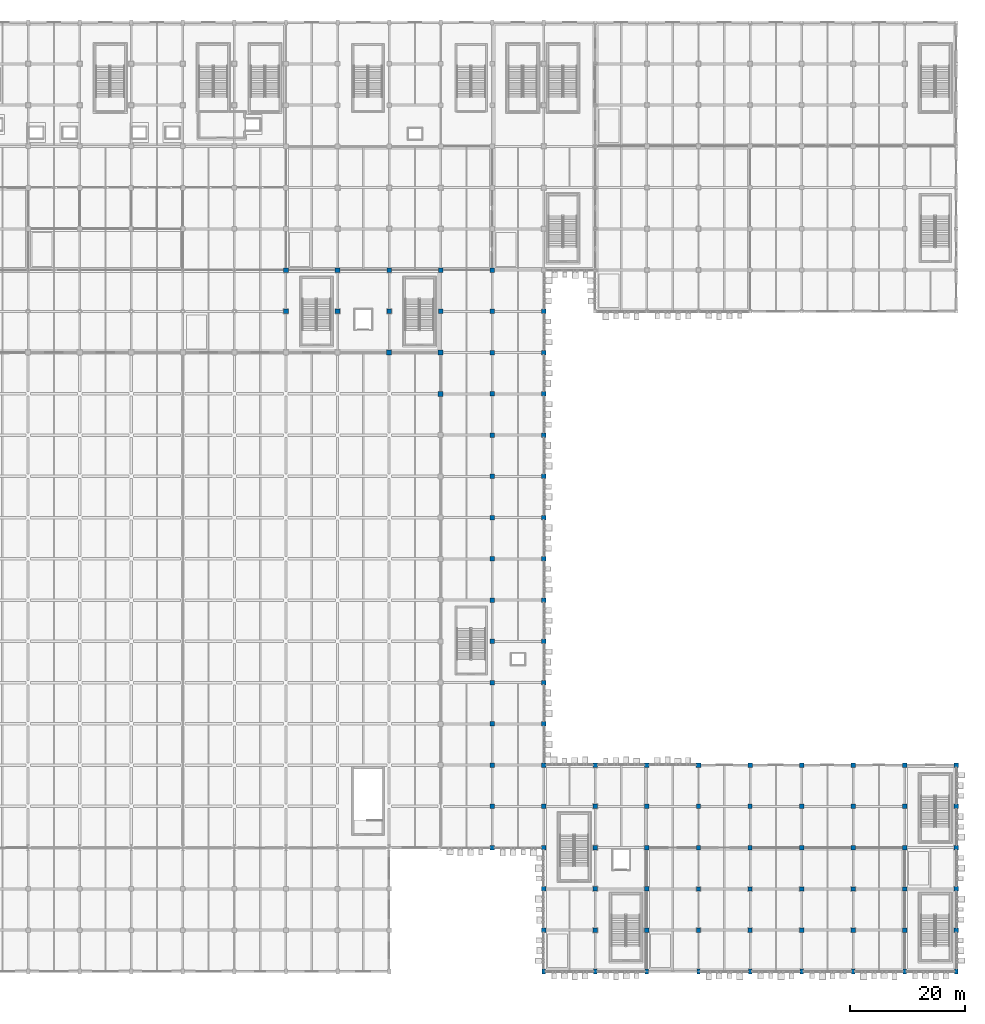
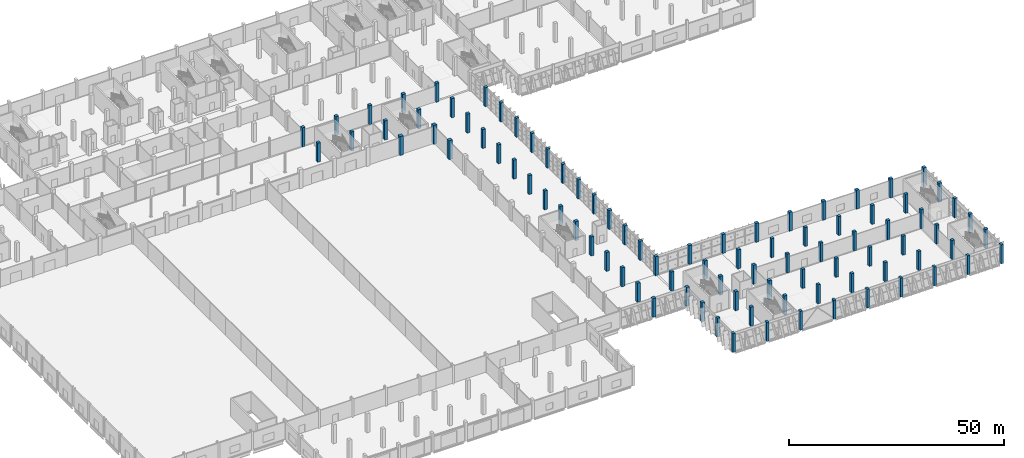
# One storey, part 8 of 137: 91 columns.
"""IFC4 building model written with IfcOpenShell, lengths in metres."""

from ifc_helpers import new_model, si_unit, direction, frame, origin, origin_2d, place, context, subcontext, project, spatial, rectangle, extrude, material, material_profile, profile_set, type_object, element, save


model = new_model("IFC4")

# Units and contexts
model_context = context("Model", 3, precision=1e-05, world=origin(), true_north=direction((0.0, 1.0)))
body_context = subcontext(model_context, "Body", "Model", "MODEL_VIEW")
ifc_project = project(units=[si_unit("LENGTHUNIT", "METRE"), si_unit("AREAUNIT", "SQUARE_METRE"), si_unit("VOLUMEUNIT", "CUBIC_METRE"), si_unit("PLANEANGLEUNIT", "RADIAN"), si_unit("MASSUNIT", "GRAM", prefix="KILO")], contexts=[model_context])

# Site, building, storey
site_placement = place(None, origin())
site = spatial("IfcSite", under=ifc_project, at=site_placement, CompositionType="ELEMENT")
building_placement = place(site_placement, origin())
building = spatial("IfcBuilding", under=site, at=building_placement, Name="Celestram Park Convention Centre", CompositionType="ELEMENT")
storey_placement = place(building_placement, origin())
storey = spatial("IfcBuildingStorey", under=building, at=storey_placement, Name="L00", CompositionType="ELEMENT", Elevation=0.0)

# Columns
ifc_material = material(Name="Concrete C40/50", Category="concrete")
ifc_material_profile_1 = material_profile(ifc_material, rectangle(XDim=0.75, YDim=0.75, at=origin_2d()), Name="RC750X750")
ifc_profile_set_1 = profile_set([ifc_material_profile_1], Name="Concrete C40/50")
column_type_1 = type_object("IfcColumnType", Name="STR-COL-RC750", PredefinedType="COLUMN", material=ifc_profile_set_1)
for number, where, z_axis, x_axis, name in (
    (1, (171.0, 7.199951171875, 0.0), (0.0, 0.0, 1.0), (1.0, 0.0, 0.0), "Column CN-L00-265"),
    (2, (171.0, 14.39990234375, 0.0), (0.0, 0.0, 1.0), (1.0, 0.0, 0.0), "Column CN-L00-266"),
    (3, (171.0, 21.60009765625, 0.0), (0.0, 0.0, 1.0), (1.0, 0.0, 0.0), "Column CN-L00-267"),
    (4, (171.0, 28.800048828125, 0.0), (0.0, 0.0, 1.0), (1.0, 0.0, 0.0), "Column CN-L00-268"),
    (5, (180.0, 7.199951171875, 0.0), (0.0, 0.0, 1.0), (1.0, 0.0, 0.0), "Column CN-L00-279"),
    (6, (180.0, 14.39990234375, 0.0), (0.0, 0.0, 1.0), (1.0, 0.0, 0.0), "Column CN-L00-280"),
    (7, (180.0, 21.60009765625, 0.0), (0.0, 0.0, 1.0), (1.0, 0.0, 0.0), "Column CN-L00-281"),
    (8, (180.0, 28.800048828125, 0.0), (0.0, 0.0, 1.0), (1.0, 0.0, 0.0), "Column CN-L00-282"),
    (9, (189.0, 7.199951171875, 0.0), (0.0, 0.0, 1.0), (1.0, 0.0, 0.0), "Column CN-L00-293"),
    (10, (189.0, 14.39990234375, 0.0), (0.0, 0.0, 1.0), (1.0, 0.0, 0.0), "Column CN-L00-294"),
    (11, (189.0, 21.60009765625, 0.0), (0.0, 0.0, 1.0), (1.0, 0.0, 0.0), "Column CN-L00-295"),
    (12, (189.0, 28.800048828125, 0.0), (0.0, 0.0, 1.0), (1.0, 0.0, 0.0), "Column CN-L00-296"),
    (13, (198.0, 7.199951171875, 0.0), (0.0, 0.0, 1.0), (1.0, 0.0, 0.0), "Column CN-L00-307"),
    (14, (198.0, 14.39990234375, 0.0), (0.0, 0.0, 1.0), (1.0, 0.0, 0.0), "Column CN-L00-308"),
    (15, (198.0, 21.60009765625, 0.0), (0.0, 0.0, 1.0), (1.0, 0.0, 0.0), "Column CN-L00-309"),
    (16, (198.0, 28.800048828125, 0.0), (0.0, 0.0, 1.0), (1.0, 0.0, 0.0), "Column CN-L00-310"),
    (17, (207.0, 7.199951171875, 0.0), (0.0, 0.0, 1.0), (1.0, 0.0, 0.0), "Column CN-L00-321"),
    (18, (207.0, 14.39990234375, 0.0), (0.0, 0.0, 1.0), (1.0, 0.0, 0.0), "Column CN-L00-322"),
    (19, (207.0, 21.60009765625, 0.0), (0.0, 0.0, 1.0), (1.0, 0.0, 0.0), "Column CN-L00-323"),
    (20, (207.0, 28.800048828125, 0.0), (0.0, 0.0, 1.0), (1.0, 0.0, 0.0), "Column CN-L00-324"),
):
    element("IfcColumn", number, at=place(storey_placement, frame(where, z_axis=z_axis, x_axis=x_axis)), inside=storey, type_object=column_type_1, Name=name, PredefinedType="COLUMN", context=body_context, shape_type="SweptSolid", body=[
        extrude(rectangle(XDim=0.75, YDim=0.75, at=origin_2d()), origin(), (0.0, 0.0, 1.0), 5.39990234375),
    ])
ifc_material_profile_2 = material_profile(ifc_material, rectangle(XDim=0.800048828125, YDim=0.800048828125, at=origin_2d()), Name="RC800X800")
ifc_profile_set_2 = profile_set([ifc_material_profile_2], Name="Concrete C40/50")
column_type_2 = type_object("IfcColumnType", Name="STR-COL-RC800", PredefinedType="COLUMN", material=ifc_profile_set_2)
for number, where, z_axis, x_axis, name in (
    (21, (99.0, 115.199951171875, 0.0), (0.0, 0.0, 1.0), (1.0, 0.0, 0.0), "Column CN-L00-136"),
    (22, (99.0, 122.39990234375, 0.0), (0.0, 0.0, 1.0), (1.0, 0.0, 0.0), "Column CN-L00-137"),
    (23, (108.0, 115.199951171875, 0.0), (0.0, 0.0, 1.0), (1.0, 0.0, 0.0), "Column CN-L00-149"),
    (24, (108.0, 122.39990234375, 0.0), (0.0, 0.0, 1.0), (1.0, 0.0, 0.0), "Column CN-L00-150"),
    (25, (117.0, 115.199951171875, 0.0), (0.0, 0.0, 1.0), (1.0, 0.0, 0.0), "Column CN-L00-162"),
    (26, (117.0, 122.39990234375, 0.0), (0.0, 0.0, 1.0), (1.0, 0.0, 0.0), "Column CN-L00-163"),
    (27, (126.0, 115.199951171875, 0.0), (0.0, 0.0, 1.0), (1.0, 0.0, 0.0), "Column CN-L00-183"),
    (28, (126.0, 122.39990234375, 0.0), (0.0, 0.0, 1.0), (1.0, 0.0, 0.0), "Column CN-L00-184"),
    (29, (135.0, 21.60009765625, 0.0), (0.0, 0.0, 1.0), (1.0, 0.0, 0.0), "Column CN-L00-191"),
    (30, (135.0, 28.800048828125, 0.0), (0.0, 0.0, 1.0), (1.0, 0.0, 0.0), "Column CN-L00-192"),
    (31, (135.0, 36.0, 0.0), (0.0, 0.0, 1.0), (1.0, 0.0, 0.0), "Column CN-L00-193"),
    (32, (135.0, 43.199951171875, 0.0), (0.0, 0.0, 1.0), (1.0, 0.0, 0.0), "Column CN-L00-194"),
    (33, (135.0, 50.39990234375, 0.0), (0.0, 0.0, 1.0), (1.0, 0.0, 0.0), "Column CN-L00-195"),
    (34, (135.0, 57.60009765625, 0.0), (0.0, 0.0, 1.0), (1.0, 0.0, 0.0), "Column CN-L00-196"),
    (35, (135.0, 64.800048828125, 0.0), (0.0, 0.0, 1.0), (1.0, 0.0, 0.0), "Column CN-L00-197"),
    (36, (135.0, 72.0, 0.0), (0.0, 0.0, 1.0), (1.0, 0.0, 0.0), "Column CN-L00-198"),
    (37, (135.0, 79.199951171875, 0.0), (0.0, 0.0, 1.0), (1.0, 0.0, 0.0), "Column CN-L00-199"),
    (38, (135.0, 86.39990234375, 0.0), (0.0, 0.0, 1.0), (1.0, 0.0, 0.0), "Column CN-L00-200"),
    (39, (135.0, 93.60009765625, 0.0), (0.0, 0.0, 1.0), (1.0, 0.0, 0.0), "Column CN-L00-201"),
    (40, (135.0, 100.800048828125, 0.0), (0.0, 0.0, 1.0), (1.0, 0.0, 0.0), "Column CN-L00-202"),
    (41, (135.0, 108.0, 0.0), (0.0, 0.0, 1.0), (1.0, 0.0, 0.0), "Column CN-L00-203"),
    (42, (135.0, 115.199951171875, 0.0), (0.0, 0.0, 1.0), (1.0, 0.0, 0.0), "Column CN-L00-204"),
    (43, (135.0, 122.39990234375, 0.0), (0.0, 0.0, 1.0), (1.0, 0.0, 0.0), "Column CN-L00-205"),
    (44, (144.0, 7.199951171875, 0.0), (0.0, 0.0, 1.0), (1.0, 0.0, 0.0), "Column CN-L00-213"),
    (45, (144.0, 14.39990234375, 0.0), (0.0, 0.0, 1.0), (1.0, 0.0, 0.0), "Column CN-L00-214"),
    (46, (144.0, 21.60009765625, 0.0), (0.0, 0.0, 1.0), (1.0, 0.0, 0.0), "Column CN-L00-215"),
    (47, (144.0, 28.800048828125, 0.0), (0.0, 0.0, 1.0), (1.0, 0.0, 0.0), "Column CN-L00-216"),
    (48, (144.0, 36.0, 0.0), (0.0, 0.0, 1.0), (1.0, 0.0, 0.0), "Column CN-L00-217"),
    (49, (144.0, 43.199951171875, 0.0), (0.0, 0.0, 1.0), (1.0, 0.0, 0.0), "Column CN-L00-218"),
    (50, (144.0, 50.39990234375, 0.0), (0.0, 0.0, 1.0), (1.0, 0.0, 0.0), "Column CN-L00-219"),
    (51, (144.0, 57.60009765625, 0.0), (0.0, 0.0, 1.0), (1.0, 0.0, 0.0), "Column CN-L00-220"),
    (52, (144.0, 64.800048828125, 0.0), (0.0, 0.0, 1.0), (1.0, 0.0, 0.0), "Column CN-L00-221"),
    (53, (144.0, 72.0, 0.0), (0.0, 0.0, 1.0), (1.0, 0.0, 0.0), "Column CN-L00-222"),
    (54, (144.0, 79.199951171875, 0.0), (0.0, 0.0, 1.0), (1.0, 0.0, 0.0), "Column CN-L00-223"),
    (55, (144.0, 86.39990234375, 0.0), (0.0, 0.0, 1.0), (1.0, 0.0, 0.0), "Column CN-L00-224"),
    (56, (144.0, 93.60009765625, 0.0), (0.0, 0.0, 1.0), (1.0, 0.0, 0.0), "Column CN-L00-225"),
    (57, (144.0, 100.800048828125, 0.0), (0.0, 0.0, 1.0), (1.0, 0.0, 0.0), "Column CN-L00-226"),
    (58, (144.0, 108.0, 0.0), (0.0, 0.0, 1.0), (1.0, 0.0, 0.0), "Column CN-L00-227"),
    (59, (144.0, 115.199951171875, 0.0), (0.0, 0.0, 1.0), (1.0, 0.0, 0.0), "Column CN-L00-228"),
    (60, (153.0, 7.199951171875, 0.0), (0.0, 0.0, 1.0), (1.0, 0.0, 0.0), "Column CN-L00-237"),
    (61, (153.0, 14.39990234375, 0.0), (0.0, 0.0, 1.0), (1.0, 0.0, 0.0), "Column CN-L00-238"),
    (62, (153.0, 21.60009765625, 0.0), (0.0, 0.0, 1.0), (1.0, 0.0, 0.0), "Column CN-L00-239"),
    (63, (153.0, 28.800048828125, 0.0), (0.0, 0.0, 1.0), (1.0, 0.0, 0.0), "Column CN-L00-240"),
    (64, (153.0, 36.0, 0.0), (0.0, 0.0, 1.0), (1.0, 0.0, 0.0), "Column CN-L00-241"),
    (65, (162.0, 7.199951171875, 0.0), (0.0, 0.0, 1.0), (1.0, 0.0, 0.0), "Column CN-L00-251"),
    (66, (162.0, 14.39990234375, 0.0), (0.0, 0.0, 1.0), (1.0, 0.0, 0.0), "Column CN-L00-252"),
    (67, (162.0, 21.60009765625, 0.0), (0.0, 0.0, 1.0), (1.0, 0.0, 0.0), "Column CN-L00-253"),
    (68, (162.0, 28.800048828125, 0.0), (0.0, 0.0, 1.0), (1.0, 0.0, 0.0), "Column CN-L00-254"),
    (69, (162.0, 36.0, 0.0), (0.0, 0.0, 1.0), (1.0, 0.0, 0.0), "Column CN-L00-255"),
    (70, (171.0, 36.0, 0.0), (0.0, 0.0, 1.0), (1.0, 0.0, 0.0), "Column CN-L00-269"),
    (71, (180.0, 36.0, 0.0), (0.0, 0.0, 1.0), (1.0, 0.0, 0.0), "Column CN-L00-283"),
    (72, (189.0, 36.0, 0.0), (0.0, 0.0, 1.0), (1.0, 0.0, 0.0), "Column CN-L00-297"),
    (73, (198.0, 36.0, 0.0), (0.0, 0.0, 1.0), (1.0, 0.0, 0.0), "Column CN-L00-311"),
    (74, (207.0, 36.0, 0.0), (0.0, 0.0, 1.0), (1.0, 0.0, 0.0), "Column CN-L00-325"),
    (75, (216.0, 7.199951171875, 0.0), (0.0, 0.0, 1.0), (1.0, 0.0, 0.0), "Column CN-L00-335"),
    (76, (216.0, 14.39990234375, 0.0), (0.0, 0.0, 1.0), (1.0, 0.0, 0.0), "Column CN-L00-336"),
    (77, (216.0, 21.60009765625, 0.0), (0.0, 0.0, 1.0), (1.0, 0.0, 0.0), "Column CN-L00-337"),
    (78, (216.0, 28.800048828125, 0.0), (0.0, 0.0, 1.0), (1.0, 0.0, 0.0), "Column CN-L00-338"),
    (79, (216.0, 36.0, 0.0), (0.0, 0.0, 1.0), (1.0, 0.0, 0.0), "Column CN-L00-339"),
):
    element("IfcColumn", number, at=place(storey_placement, frame(where, z_axis=z_axis, x_axis=x_axis)), inside=storey, type_object=column_type_2, Name=name, PredefinedType="COLUMN", context=body_context, shape_type="SweptSolid", body=[
        extrude(rectangle(XDim=0.800048828125, YDim=0.800048828125, at=origin_2d()), origin(), (0.0, 0.0, 1.0), 5.39990234375),
    ])
ifc_material_profile_3 = material_profile(ifc_material, rectangle(XDim=0.89990234375, YDim=0.89990234375, at=origin_2d()), Name="RC900X900")
ifc_profile_set_3 = profile_set([ifc_material_profile_3], Name="Concrete C40/50")
column_type_3 = type_object("IfcColumnType", Name="STR-COL-RC900", PredefinedType="COLUMN", material=ifc_profile_set_3)
for number, where, z_axis, x_axis, name in (
    (80, (117.0, 108.0, 0.0), (0.0, 0.0, 1.0), (1.0, 0.0, 0.0), "Column CN-L00-161"),
    (81, (126.0, 100.800048828125, 0.0), (0.0, 0.0, 1.0), (1.0, 0.0, 0.0), "Column CN-L00-181"),
    (82, (126.0, 108.0, 0.0), (0.0, 0.0, 1.0), (1.0, 0.0, 0.0), "Column CN-L00-182"),
):
    element("IfcColumn", number, at=place(storey_placement, frame(where, z_axis=z_axis, x_axis=x_axis)), inside=storey, type_object=column_type_3, Name=name, PredefinedType="COLUMN", context=body_context, shape_type="SweptSolid", body=[
        extrude(rectangle(XDim=0.89990234375, YDim=0.89990234375, at=origin_2d()), origin(), (0.0, 0.0, 1.0), 5.39990234375),
    ])
ifc_material_profile_4 = material_profile(ifc_material, rectangle(XDim=0.60009765625, YDim=0.89990234375, at=origin_2d()), Name="RC900X600")
ifc_profile_set_4 = profile_set([ifc_material_profile_4], Name="Concrete C40/50")
column_type_4 = type_object("IfcColumnType", Name="STR-COL-RC900X600", PredefinedType="COLUMN", material=ifc_profile_set_4)
for number, where, z_axis, x_axis, name in (
    (83, (144.0, 0.0, 0.0), (0.0, 0.0, 1.0), (1.0, 0.0, 0.0), "Column CN-L00-212"),
    (84, (153.0, 0.0, 0.0), (0.0, 0.0, 1.0), (1.0, 0.0, 0.0), "Column CN-L00-236"),
    (85, (162.0, 0.0, 0.0), (0.0, 0.0, 1.0), (1.0, 0.0, 0.0), "Column CN-L00-250"),
    (86, (171.0, 0.0, 0.0), (0.0, 0.0, 1.0), (1.0, 0.0, 0.0), "Column CN-L00-264"),
    (87, (180.0, 0.0, 0.0), (0.0, 0.0, 1.0), (1.0, 0.0, 0.0), "Column CN-L00-278"),
    (88, (189.0, 0.0, 0.0), (0.0, 0.0, 1.0), (1.0, 0.0, 0.0), "Column CN-L00-292"),
    (89, (198.0, 0.0, 0.0), (0.0, 0.0, 1.0), (1.0, 0.0, 0.0), "Column CN-L00-306"),
    (90, (207.0, 0.0, 0.0), (0.0, 0.0, 1.0), (1.0, 0.0, 0.0), "Column CN-L00-320"),
    (91, (216.0, 0.0, 0.0), (0.0, 0.0, 1.0), (1.0, 0.0, 0.0), "Column CN-L00-334"),
):
    element("IfcColumn", number, at=place(storey_placement, frame(where, z_axis=z_axis, x_axis=x_axis)), inside=storey, type_object=column_type_4, Name=name, PredefinedType="COLUMN", context=body_context, shape_type="SweptSolid", body=[
        extrude(rectangle(XDim=0.60009765625, YDim=0.89990234375, at=origin_2d()), origin(), (0.0, 0.0, 1.0), 5.39990234375),
    ])

save(model, "model.ifc")
